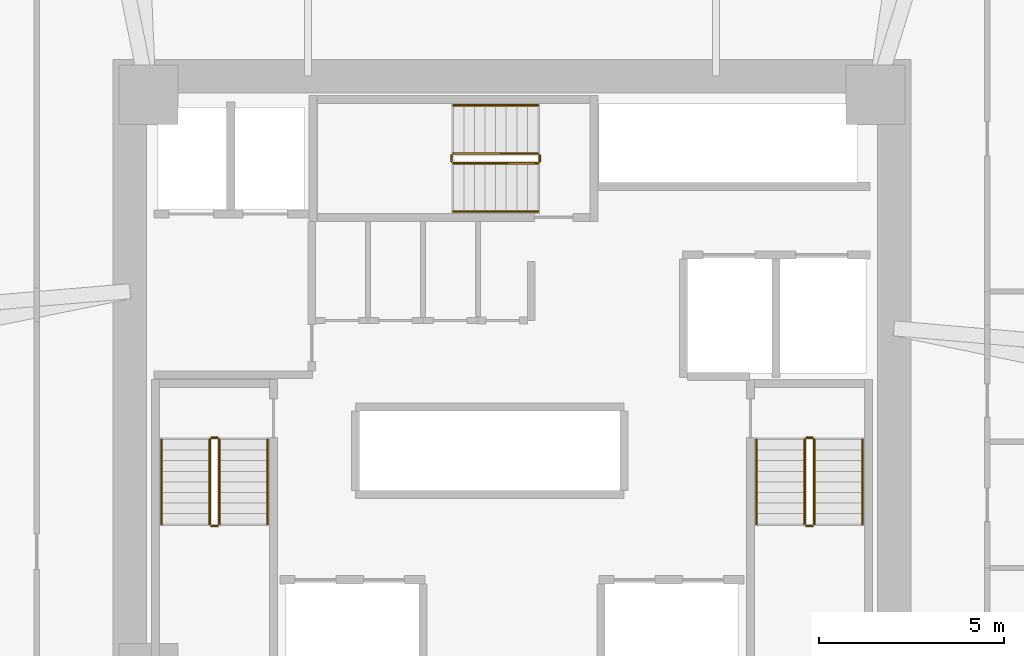
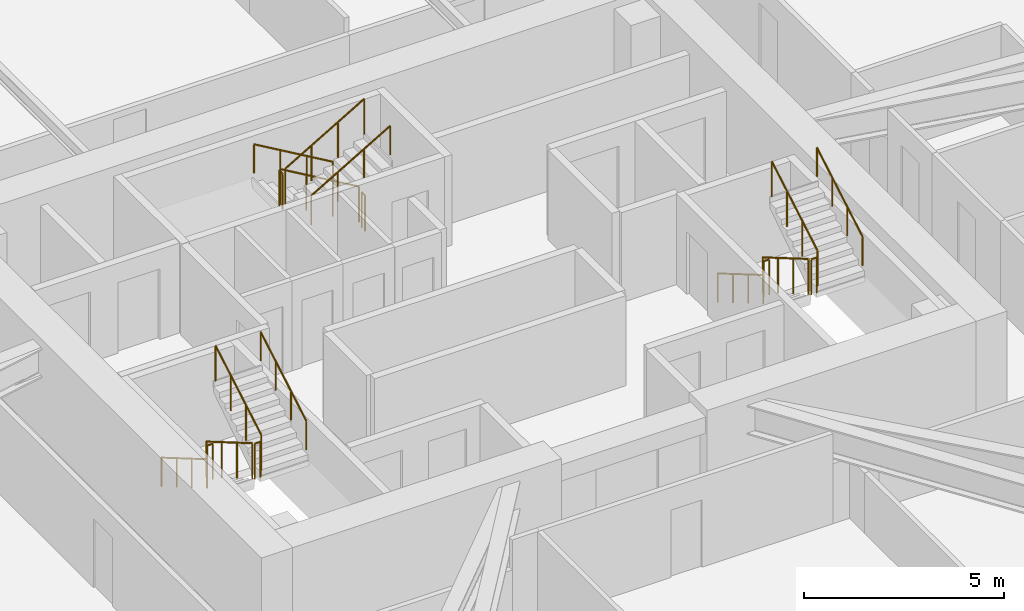
# One storey, part 15 of 15: 18 railings.
"""IFC4 building model written with IfcOpenShell, lengths in metres."""

from ifc_helpers import new_model, si_unit, direction, frame, origin, origin_2d, place, context, subcontext, project, spatial, circle, extrude, material, type_object, element, save


model = new_model("IFC4")

# Units and contexts
model_context = context("Model", 3, precision=1e-05, world=origin(), true_north=direction((0.0, 1.0)))
body_context = subcontext(model_context, "Body", "Model", "MODEL_VIEW")
ifc_project = project(units=[si_unit("LENGTHUNIT", "METRE"), si_unit("AREAUNIT", "SQUARE_METRE"), si_unit("VOLUMEUNIT", "CUBIC_METRE"), si_unit("PLANEANGLEUNIT", "RADIAN"), si_unit("MASSUNIT", "GRAM", prefix="KILO")], contexts=[model_context])

# Site, building, storey
site_placement = place(None, origin())
site = spatial("IfcSite", under=ifc_project, at=site_placement, CompositionType="ELEMENT")
building_placement = place(site_placement, origin())
building = spatial("IfcBuilding", under=site, at=building_placement, Name="Durnholm Broadcast Tower", CompositionType="ELEMENT")
storey_placement = place(building_placement, frame((0.0, 0.0, 81.300048828125)))
storey = spatial("IfcBuildingStorey", under=building, at=storey_placement, Name="L21", CompositionType="ELEMENT", Elevation=81.300048828125)

# Railings
ifc_material_1 = material(Name="Painted Tubular Steel Stair Guardrail", Category="steel")
railing_type_1 = type_object("IfcRailingType", Name="RAIL-ST-GRD", PredefinedType="GUARDRAIL", material=ifc_material_1)
railing_1_placement = place(storey_placement, frame((-8.14990234375, -1.5, 0.16650390625)))
element("IfcRailing", 1, at=railing_1_placement, inside=storey, type_object=railing_type_1, Name="L21 ST-1 stair guard 1", PredefinedType="GUARDRAIL", context=body_context, shape_type="SweptSolid", body=[
    extrude(circle(Radius=0.02392578125, at=origin_2d()), frame((0.0, 0.0, 1.076171875), z_axis=(0.0, -0.863205083432, 0.504853428173), x_axis=(1.0, 0.0, 0.0)), (0.0, 0.0, 1.0), 2.641357421875),
    extrude(circle(Radius=0.02099609375, at=origin_2d()), origin(), (0.0, 0.0, 1.0), 1.052001953125),
    extrude(circle(Radius=0.02099609375, at=origin_2d()), frame((0.0, -0.760009765625, 0.444580078125)), (0.0, 0.0, 1.0), 1.052001953125),
    extrude(circle(Radius=0.02099609375, at=origin_2d()), frame((0.0, -1.52001953125, 0.888916015625)), (0.0, 0.0, 1.0), 1.052001953125),
    extrude(circle(Radius=0.02099609375, at=origin_2d()), frame((0.0, -2.280029296875, 1.33349609375)), (0.0, 0.0, 1.0), 1.052001953125),
])
railing_2_placement = place(storey_placement, frame((-8.10009765625, -3.830078125, 1.5)))
element("IfcRailing", 2, at=railing_2_placement, inside=storey, type_object=railing_type_1, Name="L21 ST-1 stair guard 2", PredefinedType="GUARDRAIL", context=body_context, shape_type="SweptSolid", body=[
    extrude(circle(Radius=0.02392578125, at=origin_2d()), frame((0.0, 0.0, 1.076171875), z_axis=(1.0, 0.0, 0.0), x_axis=(0.0, 1.0, 0.0)), (0.0, 0.0, 1.0), 0.16015625),
    extrude(circle(Radius=0.02099609375, at=origin_2d()), origin(), (0.0, 0.0, 1.0), 1.052001953125),
    extrude(circle(Radius=0.02099609375, at=origin_2d()), frame((0.16015625, 0.0, 0.0)), (0.0, 0.0, 1.0), 1.052001953125),
])
railing_3_placement = place(storey_placement, frame((-7.889892578125, -3.780029296875, 1.66650390625)))
element("IfcRailing", 3, at=railing_3_placement, inside=storey, type_object=railing_type_1, Name="L21 ST-1 stair guard 3", PredefinedType="GUARDRAIL", context=body_context, shape_type="SweptSolid", body=[
    extrude(circle(Radius=0.02392578125, at=origin_2d()), frame((0.0, 0.0, 1.076171875), z_axis=(0.0, 0.863205083432, 0.504853428173), x_axis=(-1.0, 0.0, 0.0)), (0.0, 0.0, 1.0), 2.641357421875),
    extrude(circle(Radius=0.02099609375, at=origin_2d()), origin(), (0.0, 0.0, 1.0), 1.052001953125),
    extrude(circle(Radius=0.02099609375, at=origin_2d()), frame((0.0, 0.760009765625, 0.444580078125)), (0.0, 0.0, 1.0), 1.052001953125),
    extrude(circle(Radius=0.02099609375, at=origin_2d()), frame((0.0, 1.52001953125, 0.888916015625)), (0.0, 0.0, 1.0), 1.052001953125),
    extrude(circle(Radius=0.02099609375, at=origin_2d()), frame((0.0, 2.280029296875, 1.33349609375)), (0.0, 0.0, 1.0), 1.052001953125),
])
railing_4_placement = place(storey_placement, frame((-8.10009765625, -1.449951171875, 0.0)))
element("IfcRailing", 4, at=railing_4_placement, inside=storey, type_object=railing_type_1, Name="L21 ST-1 stair guard 4", PredefinedType="GUARDRAIL", context=body_context, shape_type="SweptSolid", body=[
    extrude(circle(Radius=0.02392578125, at=origin_2d()), frame((0.0, 0.0, 1.076171875), z_axis=(1.0, 0.0, 0.0), x_axis=(0.0, 1.0, 0.0)), (0.0, 0.0, 1.0), 0.16015625),
    extrude(circle(Radius=0.02099609375, at=origin_2d()), origin(), (0.0, 0.0, 1.0), 1.052001953125),
    extrude(circle(Radius=0.02099609375, at=origin_2d()), frame((0.16015625, 0.0, 0.0)), (0.0, 0.0, 1.0), 1.052001953125),
])
railing_5_placement = place(storey_placement, frame((7.889892578125, -1.5, 0.16650390625)))
element("IfcRailing", 5, at=railing_5_placement, inside=storey, type_object=railing_type_1, Name="L21 ST-2 stair guard 1", PredefinedType="GUARDRAIL", context=body_context, shape_type="SweptSolid", body=[
    extrude(circle(Radius=0.02392578125, at=origin_2d()), frame((0.0, 0.0, 1.076171875), z_axis=(0.0, -0.863205083432, 0.504853428173), x_axis=(1.0, 0.0, 0.0)), (0.0, 0.0, 1.0), 2.641357421875),
    extrude(circle(Radius=0.02099609375, at=origin_2d()), origin(), (0.0, 0.0, 1.0), 1.052001953125),
    extrude(circle(Radius=0.02099609375, at=origin_2d()), frame((0.0, -0.760009765625, 0.444580078125)), (0.0, 0.0, 1.0), 1.052001953125),
    extrude(circle(Radius=0.02099609375, at=origin_2d()), frame((0.0, -1.52001953125, 0.888916015625)), (0.0, 0.0, 1.0), 1.052001953125),
    extrude(circle(Radius=0.02099609375, at=origin_2d()), frame((0.0, -2.280029296875, 1.33349609375)), (0.0, 0.0, 1.0), 1.052001953125),
])
railing_6_placement = place(storey_placement, frame((7.93994140625, -3.830078125, 1.5)))
element("IfcRailing", 6, at=railing_6_placement, inside=storey, type_object=railing_type_1, Name="L21 ST-2 stair guard 2", PredefinedType="GUARDRAIL", context=body_context, shape_type="SweptSolid", body=[
    extrude(circle(Radius=0.02392578125, at=origin_2d()), frame((0.0, 0.0, 1.076171875), z_axis=(1.0, 0.0, 0.0), x_axis=(0.0, 1.0, 0.0)), (0.0, 0.0, 1.0), 0.16015625),
    extrude(circle(Radius=0.02099609375, at=origin_2d()), origin(), (0.0, 0.0, 1.0), 1.052001953125),
    extrude(circle(Radius=0.02099609375, at=origin_2d()), frame((0.16015625, 0.0, 0.0)), (0.0, 0.0, 1.0), 1.052001953125),
])
railing_7_placement = place(storey_placement, frame((8.14990234375, -3.780029296875, 1.66650390625)))
element("IfcRailing", 7, at=railing_7_placement, inside=storey, type_object=railing_type_1, Name="L21 ST-2 stair guard 3", PredefinedType="GUARDRAIL", context=body_context, shape_type="SweptSolid", body=[
    extrude(circle(Radius=0.02392578125, at=origin_2d()), frame((0.0, 0.0, 1.076171875), z_axis=(0.0, 0.863205083432, 0.504853428173), x_axis=(-1.0, 0.0, 0.0)), (0.0, 0.0, 1.0), 2.641357421875),
    extrude(circle(Radius=0.02099609375, at=origin_2d()), origin(), (0.0, 0.0, 1.0), 1.052001953125),
    extrude(circle(Radius=0.02099609375, at=origin_2d()), frame((0.0, 0.760009765625, 0.444580078125)), (0.0, 0.0, 1.0), 1.052001953125),
    extrude(circle(Radius=0.02099609375, at=origin_2d()), frame((0.0, 1.52001953125, 0.888916015625)), (0.0, 0.0, 1.0), 1.052001953125),
    extrude(circle(Radius=0.02099609375, at=origin_2d()), frame((0.0, 2.280029296875, 1.33349609375)), (0.0, 0.0, 1.0), 1.052001953125),
])
railing_8_placement = place(storey_placement, frame((7.93994140625, -1.449951171875, 0.0)))
element("IfcRailing", 8, at=railing_8_placement, inside=storey, type_object=railing_type_1, Name="L21 ST-2 stair guard 4", PredefinedType="GUARDRAIL", context=body_context, shape_type="SweptSolid", body=[
    extrude(circle(Radius=0.02392578125, at=origin_2d()), frame((0.0, 0.0, 1.076171875), z_axis=(1.0, 0.0, 0.0), x_axis=(0.0, 1.0, 0.0)), (0.0, 0.0, 1.0), 0.16015625),
    extrude(circle(Radius=0.02099609375, at=origin_2d()), origin(), (0.0, 0.0, 1.0), 1.052001953125),
    extrude(circle(Radius=0.02099609375, at=origin_2d()), frame((0.16015625, 0.0, 0.0)), (0.0, 0.0, 1.0), 1.052001953125),
])
railing_9_placement = place(storey_placement, frame((0.699951171875, 6.2099609375, 0.16650390625)))
element("IfcRailing", 9, at=railing_9_placement, inside=storey, type_object=railing_type_1, Name="L21 ST-3 stair guard 1", PredefinedType="GUARDRAIL", context=body_context, shape_type="SweptSolid", body=[
    extrude(circle(Radius=0.02392578125, at=origin_2d()), frame((0.0, 0.0, 1.076171875), z_axis=(-0.863205083432, 0.0, 0.504853428173), x_axis=(0.0, -1.0, 0.0)), (0.0, 0.0, 1.0), 2.641357421875),
    extrude(circle(Radius=0.02099609375, at=origin_2d()), origin(), (0.0, 0.0, 1.0), 1.052001953125),
    extrude(circle(Radius=0.02099609375, at=origin_2d()), frame((-0.760009765625, 0.0, 0.444580078125)), (0.0, 0.0, 1.0), 1.052001953125),
    extrude(circle(Radius=0.02099609375, at=origin_2d()), frame((-1.52001953125, 0.0, 0.888916015625)), (0.0, 0.0, 1.0), 1.052001953125),
    extrude(circle(Radius=0.02099609375, at=origin_2d()), frame((-2.280029296875, 0.0, 1.33349609375)), (0.0, 0.0, 1.0), 1.052001953125),
])
railing_10_placement = place(storey_placement, frame((-1.6298828125, 6.159912109375, 1.5)))
element("IfcRailing", 10, at=railing_10_placement, inside=storey, type_object=railing_type_1, Name="L21 ST-3 stair guard 2", PredefinedType="GUARDRAIL", context=body_context, shape_type="SweptSolid", body=[
    extrude(circle(Radius=0.02392578125, at=origin_2d()), frame((0.0, 0.0, 1.076171875), z_axis=(0.0, -1.0, 0.0), x_axis=(1.0, 0.0, 0.0)), (0.0, 0.0, 1.0), 0.159912109375),
    extrude(circle(Radius=0.02099609375, at=origin_2d()), origin(), (0.0, 0.0, 1.0), 1.052001953125),
    extrude(circle(Radius=0.02099609375, at=origin_2d()), frame((0.0, -0.159912109375, 0.0)), (0.0, 0.0, 1.0), 1.052001953125),
])
railing_11_placement = place(storey_placement, frame((-1.580078125, 5.949951171875, 1.66650390625)))
element("IfcRailing", 11, at=railing_11_placement, inside=storey, type_object=railing_type_1, Name="L21 ST-3 stair guard 3", PredefinedType="GUARDRAIL", context=body_context, shape_type="SweptSolid", body=[
    extrude(circle(Radius=0.02392578125, at=origin_2d()), frame((0.0, 0.0, 1.076171875), z_axis=(0.863205083432, 0.0, 0.504853428173), x_axis=(0.0, 1.0, 0.0)), (0.0, 0.0, 1.0), 2.641357421875),
    extrude(circle(Radius=0.02099609375, at=origin_2d()), origin(), (0.0, 0.0, 1.0), 1.052001953125),
    extrude(circle(Radius=0.02099609375, at=origin_2d()), frame((0.760009765625, 0.0, 0.444580078125)), (0.0, 0.0, 1.0), 1.052001953125),
    extrude(circle(Radius=0.02099609375, at=origin_2d()), frame((1.52001953125, 0.0, 0.888916015625)), (0.0, 0.0, 1.0), 1.052001953125),
    extrude(circle(Radius=0.02099609375, at=origin_2d()), frame((2.280029296875, 0.0, 1.33349609375)), (0.0, 0.0, 1.0), 1.052001953125),
])
railing_12_placement = place(storey_placement, frame((0.75, 6.159912109375, 0.0)))
element("IfcRailing", 12, at=railing_12_placement, inside=storey, type_object=railing_type_1, Name="L21 ST-3 stair guard 4", PredefinedType="GUARDRAIL", context=body_context, shape_type="SweptSolid", body=[
    extrude(circle(Radius=0.02392578125, at=origin_2d()), frame((0.0, 0.0, 1.076171875), z_axis=(0.0, -1.0, 0.0), x_axis=(1.0, 0.0, 0.0)), (0.0, 0.0, 1.0), 0.159912109375),
    extrude(circle(Radius=0.02099609375, at=origin_2d()), origin(), (0.0, 0.0, 1.0), 1.052001953125),
    extrude(circle(Radius=0.02099609375, at=origin_2d()), frame((0.0, -0.159912109375, 0.0)), (0.0, 0.0, 1.0), 1.052001953125),
])
ifc_material_2 = material(Name="Brushed Stainless Steel Handrail", Category="steel")
railing_type_2 = type_object("IfcRailingType", Name="RAIL-ST-HND", PredefinedType="HANDRAIL", material=ifc_material_2)
railing_13_placement = place(storey_placement, frame((-9.449951171875, -1.5, 0.333251953125)))
element("IfcRailing", 13, at=railing_13_placement, inside=storey, type_object=railing_type_2, Name="L21 ST-1 stair handrail 1", PredefinedType="HANDRAIL", context=body_context, shape_type="SweptSolid", body=[
    extrude(circle(Radius=0.02392578125, at=origin_2d()), frame((0.0, 0.0, 0.8759765625), z_axis=(0.0, -0.863245362884, 0.504784551527), x_axis=(1.0, 0.0, 0.0)), (0.0, 0.0, 1.0), 2.64111328125),
    extrude(circle(Radius=0.02099609375, at=origin_2d()), origin(), (0.0, 0.0, 1.0), 0.851806640625),
    extrude(circle(Radius=0.02099609375, at=origin_2d()), frame((0.0, -0.760009765625, 0.4443359375)), (0.0, 0.0, 1.0), 0.851806640625),
    extrude(circle(Radius=0.02099609375, at=origin_2d()), frame((0.0, -1.52001953125, 0.888916015625)), (0.0, 0.0, 1.0), 0.851806640625),
    extrude(circle(Radius=0.02099609375, at=origin_2d()), frame((0.0, -2.280029296875, 1.333251953125)), (0.0, 0.0, 1.0), 0.851806640625),
])
railing_14_placement = place(storey_placement, frame((-6.590087890625, -3.780029296875, 1.833251953125)))
element("IfcRailing", 14, at=railing_14_placement, inside=storey, type_object=railing_type_2, Name="L21 ST-1 stair handrail 2", PredefinedType="HANDRAIL", context=body_context, shape_type="SweptSolid", body=[
    extrude(circle(Radius=0.02392578125, at=origin_2d()), frame((0.0, 0.0, 0.8759765625), z_axis=(0.0, 0.863245362884, 0.504784551527), x_axis=(-1.0, 0.0, 0.0)), (0.0, 0.0, 1.0), 2.64111328125),
    extrude(circle(Radius=0.02099609375, at=origin_2d()), origin(), (0.0, 0.0, 1.0), 0.851806640625),
    extrude(circle(Radius=0.02099609375, at=origin_2d()), frame((0.0, 0.760009765625, 0.4443359375)), (0.0, 0.0, 1.0), 0.851806640625),
    extrude(circle(Radius=0.02099609375, at=origin_2d()), frame((0.0, 1.52001953125, 0.888916015625)), (0.0, 0.0, 1.0), 0.851806640625),
    extrude(circle(Radius=0.02099609375, at=origin_2d()), frame((0.0, 2.280029296875, 1.333251953125)), (0.0, 0.0, 1.0), 0.851806640625),
])
railing_15_placement = place(storey_placement, frame((6.590087890625, -1.5, 0.333251953125)))
element("IfcRailing", 15, at=railing_15_placement, inside=storey, type_object=railing_type_2, Name="L21 ST-2 stair handrail 1", PredefinedType="HANDRAIL", context=body_context, shape_type="SweptSolid", body=[
    extrude(circle(Radius=0.02392578125, at=origin_2d()), frame((0.0, 0.0, 0.8759765625), z_axis=(0.0, -0.863245362884, 0.504784551527), x_axis=(1.0, 0.0, 0.0)), (0.0, 0.0, 1.0), 2.64111328125),
    extrude(circle(Radius=0.02099609375, at=origin_2d()), origin(), (0.0, 0.0, 1.0), 0.851806640625),
    extrude(circle(Radius=0.02099609375, at=origin_2d()), frame((0.0, -0.760009765625, 0.4443359375)), (0.0, 0.0, 1.0), 0.851806640625),
    extrude(circle(Radius=0.02099609375, at=origin_2d()), frame((0.0, -1.52001953125, 0.888916015625)), (0.0, 0.0, 1.0), 0.851806640625),
    extrude(circle(Radius=0.02099609375, at=origin_2d()), frame((0.0, -2.280029296875, 1.333251953125)), (0.0, 0.0, 1.0), 0.851806640625),
])
railing_16_placement = place(storey_placement, frame((9.449951171875, -3.780029296875, 1.833251953125)))
element("IfcRailing", 16, at=railing_16_placement, inside=storey, type_object=railing_type_2, Name="L21 ST-2 stair handrail 2", PredefinedType="HANDRAIL", context=body_context, shape_type="SweptSolid", body=[
    extrude(circle(Radius=0.02392578125, at=origin_2d()), frame((0.0, 0.0, 0.8759765625), z_axis=(0.0, 0.863245362884, 0.504784551527), x_axis=(-1.0, 0.0, 0.0)), (0.0, 0.0, 1.0), 2.64111328125),
    extrude(circle(Radius=0.02099609375, at=origin_2d()), origin(), (0.0, 0.0, 1.0), 0.851806640625),
    extrude(circle(Radius=0.02099609375, at=origin_2d()), frame((0.0, 0.760009765625, 0.4443359375)), (0.0, 0.0, 1.0), 0.851806640625),
    extrude(circle(Radius=0.02099609375, at=origin_2d()), frame((0.0, 1.52001953125, 0.888916015625)), (0.0, 0.0, 1.0), 0.851806640625),
    extrude(circle(Radius=0.02099609375, at=origin_2d()), frame((0.0, 2.280029296875, 1.333251953125)), (0.0, 0.0, 1.0), 0.851806640625),
])
railing_17_placement = place(storey_placement, frame((0.699951171875, 7.510009765625, 0.333251953125)))
element("IfcRailing", 17, at=railing_17_placement, inside=storey, type_object=railing_type_2, Name="L21 ST-3 stair handrail 1", PredefinedType="HANDRAIL", context=body_context, shape_type="SweptSolid", body=[
    extrude(circle(Radius=0.02392578125, at=origin_2d()), frame((0.0, 0.0, 0.8759765625), z_axis=(-0.863245362884, 0.0, 0.504784551527), x_axis=(0.0, -1.0, 0.0)), (0.0, 0.0, 1.0), 2.64111328125),
    extrude(circle(Radius=0.02099609375, at=origin_2d()), origin(), (0.0, 0.0, 1.0), 0.851806640625),
    extrude(circle(Radius=0.02099609375, at=origin_2d()), frame((-0.760009765625, 0.0, 0.4443359375)), (0.0, 0.0, 1.0), 0.851806640625),
    extrude(circle(Radius=0.02099609375, at=origin_2d()), frame((-1.52001953125, 0.0, 0.888916015625)), (0.0, 0.0, 1.0), 0.851806640625),
    extrude(circle(Radius=0.02099609375, at=origin_2d()), frame((-2.280029296875, 0.0, 1.333251953125)), (0.0, 0.0, 1.0), 0.851806640625),
])
railing_18_placement = place(storey_placement, frame((-1.580078125, 4.64990234375, 1.833251953125)))
element("IfcRailing", 18, at=railing_18_placement, inside=storey, type_object=railing_type_2, Name="L21 ST-3 stair handrail 2", PredefinedType="HANDRAIL", context=body_context, shape_type="SweptSolid", body=[
    extrude(circle(Radius=0.02392578125, at=origin_2d()), frame((0.0, 0.0, 0.8759765625), z_axis=(0.863245362884, 0.0, 0.504784551527), x_axis=(0.0, 1.0, 0.0)), (0.0, 0.0, 1.0), 2.64111328125),
    extrude(circle(Radius=0.02099609375, at=origin_2d()), origin(), (0.0, 0.0, 1.0), 0.851806640625),
    extrude(circle(Radius=0.02099609375, at=origin_2d()), frame((0.760009765625, 0.0, 0.4443359375)), (0.0, 0.0, 1.0), 0.851806640625),
    extrude(circle(Radius=0.02099609375, at=origin_2d()), frame((1.52001953125, 0.0, 0.888916015625)), (0.0, 0.0, 1.0), 0.851806640625),
    extrude(circle(Radius=0.02099609375, at=origin_2d()), frame((2.280029296875, 0.0, 1.333251953125)), (0.0, 0.0, 1.0), 0.851806640625),
])

save(model, "model.ifc")
